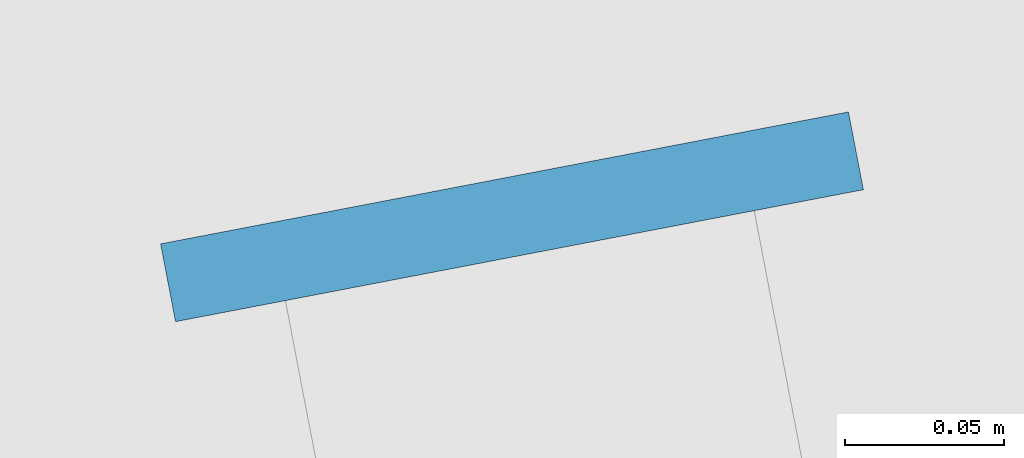
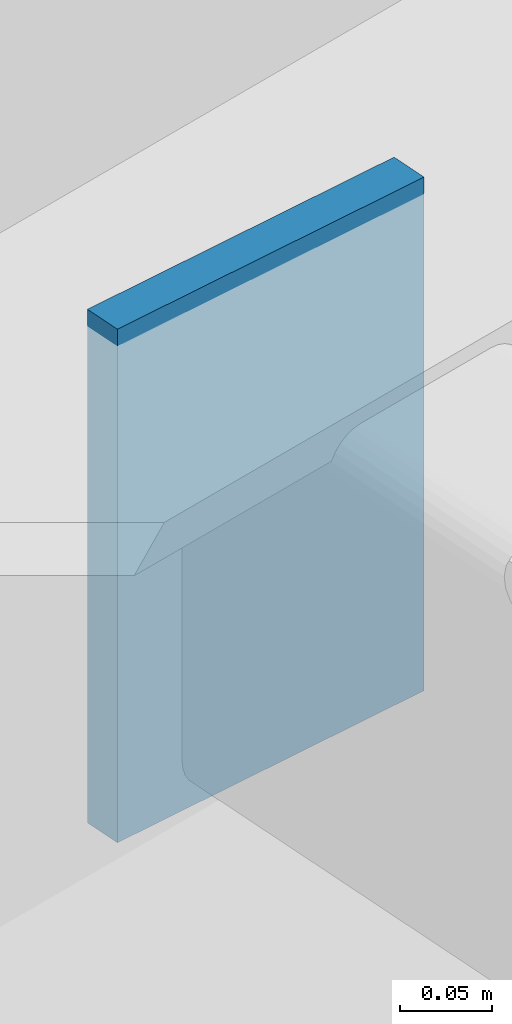
# One storey, part 7 of 14: 1 plate.
"""IFC4 building model written with IfcOpenShell, lengths in metres."""

from ifc_helpers import new_model, si_unit, direction, frame, origin, origin_2d, place, context, subcontext, project, spatial, rectangle, extrude, material, layer, layer_set, type_object, element, save


model = new_model("IFC4")

# Units and contexts
model_context = context("Model", 3, precision=1e-05, world=origin(), true_north=direction((0.0, 1.0)))
body_context = subcontext(model_context, "Body", "Model", "MODEL_VIEW")
ifc_project = project(units=[si_unit("LENGTHUNIT", "METRE"), si_unit("AREAUNIT", "SQUARE_METRE"), si_unit("VOLUMEUNIT", "CUBIC_METRE"), si_unit("PLANEANGLEUNIT", "RADIAN"), si_unit("MASSUNIT", "GRAM", prefix="KILO")], contexts=[model_context])

# Site, building, storey
site_placement = place(None, origin())
site = spatial("IfcSite", under=ifc_project, at=site_placement, CompositionType="ELEMENT")
building_placement = place(site_placement, origin())
building = spatial("IfcBuilding", under=site, at=building_placement, Name="Valkerne Bourse Tower", CompositionType="ELEMENT")
storey_placement = place(building_placement, frame((0.0, 0.0, 209.39990234375)))
storey = spatial("IfcBuildingStorey", under=building, at=storey_placement, Name="L53", CompositionType="ELEMENT", Elevation=209.39990234375)

# Plate
ifc_material = material(Name="Steel ASTM A572 Grade 50", Category="steel")
ifc_layer = layer(ifc_material, 0.02490234375)
ifc_layer_set = layer_set([ifc_layer], Name="Steel ASTM A572 Grade 50")
plate_type = type_object("IfcPlateType", Name="PLT-CAP-300", PredefinedType="SHEET", material=ifc_layer_set)
plate_placement = place(storey_placement, frame((60.5986328125, 28.27392578125, 3.27001953125), z_axis=(0.0, 0.0, 1.0), x_axis=(-0.188409860458, 0.982090486912, 0.0)))
element("IfcPlate", 1, at=plate_placement, inside=storey, type_object=plate_type, Name="L53 HSS300x150 Purlin End Cap Plate PLT-CAP300-L53-006", PredefinedType="SHEET", context=body_context, shape_type="SweptSolid", body=[
    extrude(rectangle(XDim=0.02490234375, YDim=0.219970703125, at=origin_2d()), origin(), (0.0, 0.0, 1.0), 0.340087890625),
])

save(model, "model.ifc")
